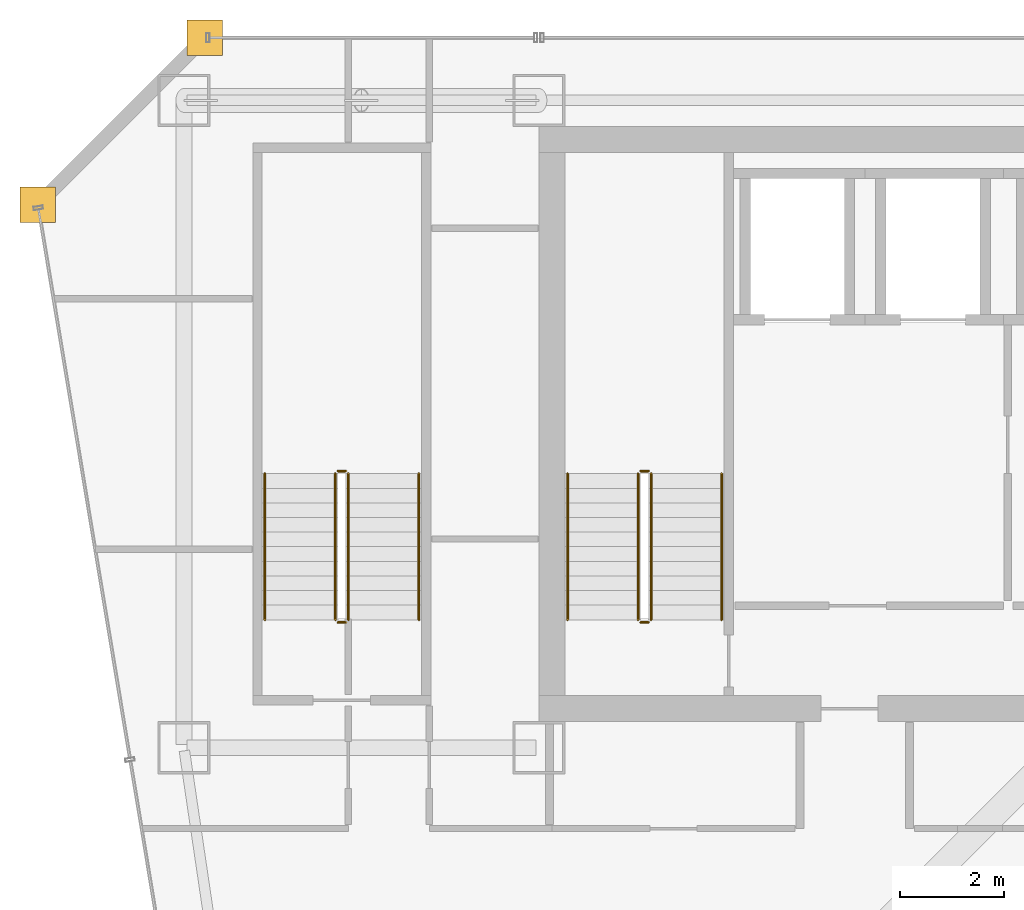
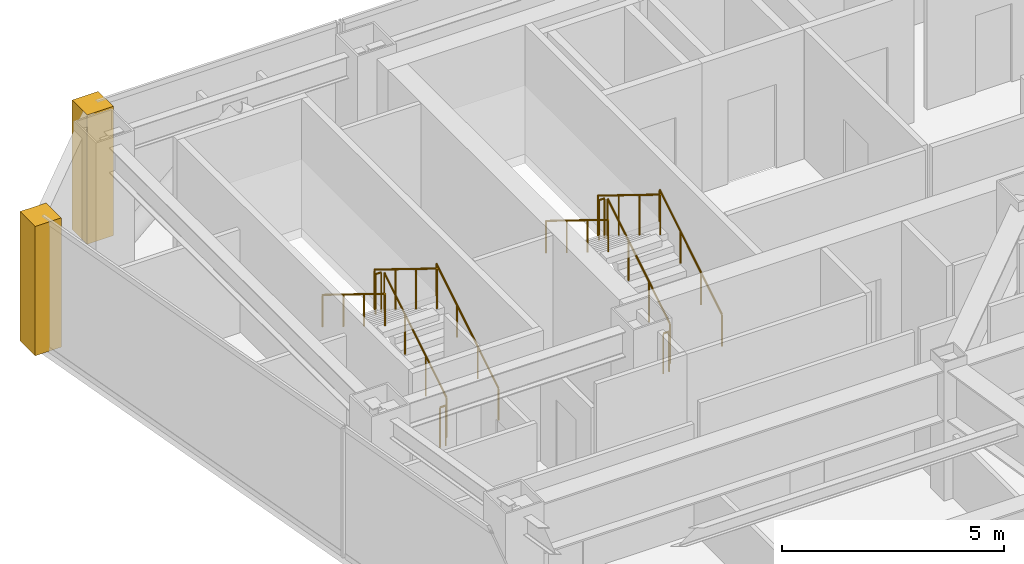
# One storey, part 36 of 37: 12 railings, 2 coverings.
"""IFC4 building model written with IfcOpenShell, lengths in metres."""

from ifc_helpers import new_model, si_unit, direction, frame, origin, origin_2d, place, context, subcontext, project, spatial, polyline, circle, outline, extrude, material, layer, layer_set, type_object, element, save


model = new_model("IFC4")

# Units and contexts
model_context = context("Model", 3, precision=1e-05, world=origin(), true_north=direction((0.0, 1.0)))
body_context = subcontext(model_context, "Body", "Model", "MODEL_VIEW")
ifc_project = project(units=[si_unit("LENGTHUNIT", "METRE"), si_unit("AREAUNIT", "SQUARE_METRE"), si_unit("VOLUMEUNIT", "CUBIC_METRE"), si_unit("PLANEANGLEUNIT", "RADIAN"), si_unit("MASSUNIT", "GRAM", prefix="KILO")], contexts=[model_context])

# Site, building, storey
site_placement = place(None, origin())
site = spatial("IfcSite", under=ifc_project, at=site_placement, CompositionType="ELEMENT")
building_placement = place(site_placement, origin())
building = spatial("IfcBuilding", under=site, at=building_placement, Name="Saevonmaru Cultural Tower", CompositionType="ELEMENT")
storey_placement = place(building_placement, frame((0.0, 0.0, 163.800048828125)))
storey = spatial("IfcBuildingStorey", under=building, at=storey_placement, Name="L36", CompositionType="ELEMENT", Elevation=163.800048828125)

# Coverings
ifc_material_1 = material(Name="Satin Bronze Anodised Aluminium", Category="aluminium")
ifc_layer = layer(ifc_material_1, 0.679931640625, Name="Satin Bronze Anodised Aluminium")
ifc_layer_set = layer_set([ifc_layer], Name="Satin Bronze Anodised Aluminium")
covering_type = type_object("IfcCoveringType", Name="CV-CORNER-CLAD", PredefinedType="CLADDING", material=ifc_layer_set)
covering_1_placement = place(storey_placement, origin())
element("IfcCovering", 1, at=covering_1_placement, inside=storey, type_object=covering_type, Name="L36 Tower Bronze Corner Cladding Pier 11", PredefinedType="CLADDING", context=body_context, shape_type="SweptSolid", body=[
    extrude(outline(polyline([(6.860107421875, 55.659912109375), (7.5400390625, 55.659912109375), (7.5400390625, 56.340087890625), (6.860107421875, 56.340087890625), (6.860107421875, 55.659912109375)])), origin(), (0.0, 0.0, 1.0), 3.550048828125),
])
covering_2_placement = place(storey_placement, origin())
element("IfcCovering", 2, at=covering_2_placement, inside=storey, type_object=covering_type, Name="L36 Tower Bronze Corner Cladding Pier 12", PredefinedType="CLADDING", context=body_context, shape_type="SweptSolid", body=[
    extrude(outline(polyline([(3.659912109375, 52.4599609375), (4.340087890625, 52.4599609375), (4.340087890625, 53.139892578125), (3.659912109375, 53.139892578125), (3.659912109375, 52.4599609375)])), origin(), (0.0, 0.0, 1.0), 3.550048828125),
])

# Railings
ifc_material_2 = material(Name="Architectural Painted Steel", Category="steel")
railing_type_1 = type_object("IfcRailingType", Name="RL-STAIR-GUARD", PredefinedType="GUARDRAIL", material=ifc_material_2)
railing_1_placement = place(storey_placement, frame((15.75, 44.85009765625, 0.172607421875)))
element("IfcRailing", 3, at=railing_1_placement, inside=storey, type_object=railing_type_1, Name="L36 ST-1 stair guard 1", PredefinedType="GUARDRAIL", context=body_context, shape_type="SweptSolid", body=[
    extrude(circle(Radius=0.02392578125, at=origin_2d()), frame((0.0, 0.0, 1.09619140625), z_axis=(0.0, 0.851069175582, 0.525053576669), x_axis=(-1.0, 0.0, 0.0)), (0.0, 0.0, 1.0), 3.289794921875),
    extrude(circle(Radius=0.02099609375, at=origin_2d()), origin(), (0.0, 0.0, 1.0), 1.072021484375),
    extrude(circle(Radius=0.02099609375, at=origin_2d()), frame((0.0, 0.933349609375, 0.57568359375)), (0.0, 0.0, 1.0), 1.072021484375),
    extrude(circle(Radius=0.02099609375, at=origin_2d()), frame((0.0, 1.866455078125, 1.151611328125)), (0.0, 0.0, 1.0), 1.072021484375),
    extrude(circle(Radius=0.02099609375, at=origin_2d()), frame((0.0, 2.7998046875, 1.727294921875)), (0.0, 0.0, 1.0), 1.072021484375),
])
railing_2_placement = place(storey_placement, frame((15.699951171875, 47.699951171875, 1.89990234375)))
element("IfcRailing", 4, at=railing_2_placement, inside=storey, type_object=railing_type_1, Name="L36 ST-1 stair guard 2", PredefinedType="GUARDRAIL", context=body_context, shape_type="SweptSolid", body=[
    extrude(circle(Radius=0.02392578125, at=origin_2d()), frame((0.0, 0.0, 1.09619140625), z_axis=(-1.0, 0.0, 0.0), x_axis=(0.0, -1.0, 0.0)), (0.0, 0.0, 1.0), 0.14990234375),
    extrude(circle(Radius=0.02099609375, at=origin_2d()), origin(), (0.0, 0.0, 1.0), 1.072021484375),
    extrude(circle(Radius=0.02099609375, at=origin_2d()), frame((-0.14990234375, 0.0, 0.0)), (0.0, 0.0, 1.0), 1.072021484375),
])
railing_3_placement = place(storey_placement, frame((15.5, 47.64990234375, 2.07275390625)))
element("IfcRailing", 5, at=railing_3_placement, inside=storey, type_object=railing_type_1, Name="L36 ST-1 stair guard 3", PredefinedType="GUARDRAIL", context=body_context, shape_type="SweptSolid", body=[
    extrude(circle(Radius=0.02392578125, at=origin_2d()), frame((0.0, 0.0, 1.09619140625), z_axis=(0.0, -0.851069175582, 0.525053576669), x_axis=(1.0, 0.0, 0.0)), (0.0, 0.0, 1.0), 3.289794921875),
    extrude(circle(Radius=0.02099609375, at=origin_2d()), origin(), (0.0, 0.0, 1.0), 1.072021484375),
    extrude(circle(Radius=0.02099609375, at=origin_2d()), frame((0.0, -0.933349609375, 0.57568359375)), (0.0, 0.0, 1.0), 1.072021484375),
    extrude(circle(Radius=0.02099609375, at=origin_2d()), frame((0.0, -1.866455078125, 1.151611328125)), (0.0, 0.0, 1.0), 1.072021484375),
    extrude(circle(Radius=0.02099609375, at=origin_2d()), frame((0.0, -2.7998046875, 1.727294921875)), (0.0, 0.0, 1.0), 1.072021484375),
])
railing_4_placement = place(storey_placement, frame((15.699951171875, 44.800048828125, 0.0)))
element("IfcRailing", 6, at=railing_4_placement, inside=storey, type_object=railing_type_1, Name="L36 ST-1 stair guard 4", PredefinedType="GUARDRAIL", context=body_context, shape_type="SweptSolid", body=[
    extrude(circle(Radius=0.02392578125, at=origin_2d()), frame((0.0, 0.0, 1.09619140625), z_axis=(-1.0, 0.0, 0.0), x_axis=(0.0, -1.0, 0.0)), (0.0, 0.0, 1.0), 0.14990234375),
    extrude(circle(Radius=0.02099609375, at=origin_2d()), origin(), (0.0, 0.0, 1.0), 1.072021484375),
    extrude(circle(Radius=0.02099609375, at=origin_2d()), frame((-0.14990234375, 0.0, 0.0)), (0.0, 0.0, 1.0), 1.072021484375),
])
railing_5_placement = place(storey_placement, frame((9.949951171875, 44.85009765625, 0.172607421875)))
element("IfcRailing", 7, at=railing_5_placement, inside=storey, type_object=railing_type_1, Name="L36 ST-3 stair guard 1", PredefinedType="GUARDRAIL", context=body_context, shape_type="SweptSolid", body=[
    extrude(circle(Radius=0.02392578125, at=origin_2d()), frame((0.0, 0.0, 1.09619140625), z_axis=(0.0, 0.851069175582, 0.525053576669), x_axis=(-1.0, 0.0, 0.0)), (0.0, 0.0, 1.0), 3.289794921875),
    extrude(circle(Radius=0.02099609375, at=origin_2d()), origin(), (0.0, 0.0, 1.0), 1.072021484375),
    extrude(circle(Radius=0.02099609375, at=origin_2d()), frame((0.0, 0.933349609375, 0.57568359375)), (0.0, 0.0, 1.0), 1.072021484375),
    extrude(circle(Radius=0.02099609375, at=origin_2d()), frame((0.0, 1.866455078125, 1.151611328125)), (0.0, 0.0, 1.0), 1.072021484375),
    extrude(circle(Radius=0.02099609375, at=origin_2d()), frame((0.0, 2.7998046875, 1.727294921875)), (0.0, 0.0, 1.0), 1.072021484375),
])
railing_6_placement = place(storey_placement, frame((9.89990234375, 47.699951171875, 1.89990234375)))
element("IfcRailing", 8, at=railing_6_placement, inside=storey, type_object=railing_type_1, Name="L36 ST-3 stair guard 2", PredefinedType="GUARDRAIL", context=body_context, shape_type="SweptSolid", body=[
    extrude(circle(Radius=0.02392578125, at=origin_2d()), frame((0.0, 0.0, 1.09619140625), z_axis=(-1.0, 0.0, 0.0), x_axis=(0.0, -1.0, 0.0)), (0.0, 0.0, 1.0), 0.14990234375),
    extrude(circle(Radius=0.02099609375, at=origin_2d()), origin(), (0.0, 0.0, 1.0), 1.072021484375),
    extrude(circle(Radius=0.02099609375, at=origin_2d()), frame((-0.14990234375, 0.0, 0.0)), (0.0, 0.0, 1.0), 1.072021484375),
])
railing_7_placement = place(storey_placement, frame((9.699951171875, 47.64990234375, 2.07275390625)))
element("IfcRailing", 9, at=railing_7_placement, inside=storey, type_object=railing_type_1, Name="L36 ST-3 stair guard 3", PredefinedType="GUARDRAIL", context=body_context, shape_type="SweptSolid", body=[
    extrude(circle(Radius=0.02392578125, at=origin_2d()), frame((0.0, 0.0, 1.09619140625), z_axis=(0.0, -0.851069175582, 0.525053576669), x_axis=(1.0, 0.0, 0.0)), (0.0, 0.0, 1.0), 3.289794921875),
    extrude(circle(Radius=0.02099609375, at=origin_2d()), origin(), (0.0, 0.0, 1.0), 1.072021484375),
    extrude(circle(Radius=0.02099609375, at=origin_2d()), frame((0.0, -0.933349609375, 0.57568359375)), (0.0, 0.0, 1.0), 1.072021484375),
    extrude(circle(Radius=0.02099609375, at=origin_2d()), frame((0.0, -1.866455078125, 1.151611328125)), (0.0, 0.0, 1.0), 1.072021484375),
    extrude(circle(Radius=0.02099609375, at=origin_2d()), frame((0.0, -2.7998046875, 1.727294921875)), (0.0, 0.0, 1.0), 1.072021484375),
])
railing_8_placement = place(storey_placement, frame((9.89990234375, 44.800048828125, 0.0)))
element("IfcRailing", 10, at=railing_8_placement, inside=storey, type_object=railing_type_1, Name="L36 ST-3 stair guard 4", PredefinedType="GUARDRAIL", context=body_context, shape_type="SweptSolid", body=[
    extrude(circle(Radius=0.02392578125, at=origin_2d()), frame((0.0, 0.0, 1.09619140625), z_axis=(-1.0, 0.0, 0.0), x_axis=(0.0, -1.0, 0.0)), (0.0, 0.0, 1.0), 0.14990234375),
    extrude(circle(Radius=0.02099609375, at=origin_2d()), origin(), (0.0, 0.0, 1.0), 1.072021484375),
    extrude(circle(Radius=0.02099609375, at=origin_2d()), frame((-0.14990234375, 0.0, 0.0)), (0.0, 0.0, 1.0), 1.072021484375),
])
railing_type_2 = type_object("IfcRailingType", Name="RL-STAIR-HANDRAIL", PredefinedType="HANDRAIL", material=ifc_material_1)
railing_9_placement = place(storey_placement, frame((17.10009765625, 44.85009765625, 0.172607421875)))
element("IfcRailing", 11, at=railing_9_placement, inside=storey, type_object=railing_type_2, Name="L36 ST-1 stair handrail 1", PredefinedType="HANDRAIL", context=body_context, shape_type="SweptSolid", body=[
    extrude(circle(Radius=0.02392578125, at=origin_2d()), frame((0.0, 0.0, 0.8759765625), z_axis=(0.0, 0.851069175582, 0.525053576669), x_axis=(-1.0, 0.0, 0.0)), (0.0, 0.0, 1.0), 3.289794921875),
    extrude(circle(Radius=0.02099609375, at=origin_2d()), origin(), (0.0, 0.0, 1.0), 0.851806640625),
    extrude(circle(Radius=0.02099609375, at=origin_2d()), frame((0.0, 0.933349609375, 0.57568359375)), (0.0, 0.0, 1.0), 0.851806640625),
    extrude(circle(Radius=0.02099609375, at=origin_2d()), frame((0.0, 1.866455078125, 1.151611328125)), (0.0, 0.0, 1.0), 0.851806640625),
    extrude(circle(Radius=0.02099609375, at=origin_2d()), frame((0.0, 2.7998046875, 1.727294921875)), (0.0, 0.0, 1.0), 0.851806640625),
])
railing_10_placement = place(storey_placement, frame((14.14990234375, 47.64990234375, 2.07275390625)))
element("IfcRailing", 12, at=railing_10_placement, inside=storey, type_object=railing_type_2, Name="L36 ST-1 stair handrail 2", PredefinedType="HANDRAIL", context=body_context, shape_type="SweptSolid", body=[
    extrude(circle(Radius=0.02392578125, at=origin_2d()), frame((0.0, 0.0, 0.8759765625), z_axis=(0.0, -0.851069175582, 0.525053576669), x_axis=(1.0, 0.0, 0.0)), (0.0, 0.0, 1.0), 3.289794921875),
    extrude(circle(Radius=0.02099609375, at=origin_2d()), origin(), (0.0, 0.0, 1.0), 0.851806640625),
    extrude(circle(Radius=0.02099609375, at=origin_2d()), frame((0.0, -0.933349609375, 0.57568359375)), (0.0, 0.0, 1.0), 0.851806640625),
    extrude(circle(Radius=0.02099609375, at=origin_2d()), frame((0.0, -1.866455078125, 1.151611328125)), (0.0, 0.0, 1.0), 0.851806640625),
    extrude(circle(Radius=0.02099609375, at=origin_2d()), frame((0.0, -2.7998046875, 1.727294921875)), (0.0, 0.0, 1.0), 0.851806640625),
])
railing_11_placement = place(storey_placement, frame((11.300048828125, 44.85009765625, 0.172607421875)))
element("IfcRailing", 13, at=railing_11_placement, inside=storey, type_object=railing_type_2, Name="L36 ST-3 stair handrail 1", PredefinedType="HANDRAIL", context=body_context, shape_type="SweptSolid", body=[
    extrude(circle(Radius=0.02392578125, at=origin_2d()), frame((0.0, 0.0, 0.8759765625), z_axis=(0.0, 0.851069175582, 0.525053576669), x_axis=(-1.0, 0.0, 0.0)), (0.0, 0.0, 1.0), 3.289794921875),
    extrude(circle(Radius=0.02099609375, at=origin_2d()), origin(), (0.0, 0.0, 1.0), 0.851806640625),
    extrude(circle(Radius=0.02099609375, at=origin_2d()), frame((0.0, 0.933349609375, 0.57568359375)), (0.0, 0.0, 1.0), 0.851806640625),
    extrude(circle(Radius=0.02099609375, at=origin_2d()), frame((0.0, 1.866455078125, 1.151611328125)), (0.0, 0.0, 1.0), 0.851806640625),
    extrude(circle(Radius=0.02099609375, at=origin_2d()), frame((0.0, 2.7998046875, 1.727294921875)), (0.0, 0.0, 1.0), 0.851806640625),
])
railing_12_placement = place(storey_placement, frame((8.35009765625, 47.64990234375, 2.07275390625)))
element("IfcRailing", 14, at=railing_12_placement, inside=storey, type_object=railing_type_2, Name="L36 ST-3 stair handrail 2", PredefinedType="HANDRAIL", context=body_context, shape_type="SweptSolid", body=[
    extrude(circle(Radius=0.02392578125, at=origin_2d()), frame((0.0, 0.0, 0.8759765625), z_axis=(0.0, -0.851069175582, 0.525053576669), x_axis=(1.0, 0.0, 0.0)), (0.0, 0.0, 1.0), 3.289794921875),
    extrude(circle(Radius=0.02099609375, at=origin_2d()), origin(), (0.0, 0.0, 1.0), 0.851806640625),
    extrude(circle(Radius=0.02099609375, at=origin_2d()), frame((0.0, -0.933349609375, 0.57568359375)), (0.0, 0.0, 1.0), 0.851806640625),
    extrude(circle(Radius=0.02099609375, at=origin_2d()), frame((0.0, -1.866455078125, 1.151611328125)), (0.0, 0.0, 1.0), 0.851806640625),
    extrude(circle(Radius=0.02099609375, at=origin_2d()), frame((0.0, -2.7998046875, 1.727294921875)), (0.0, 0.0, 1.0), 0.851806640625),
])

save(model, "model.ifc")
